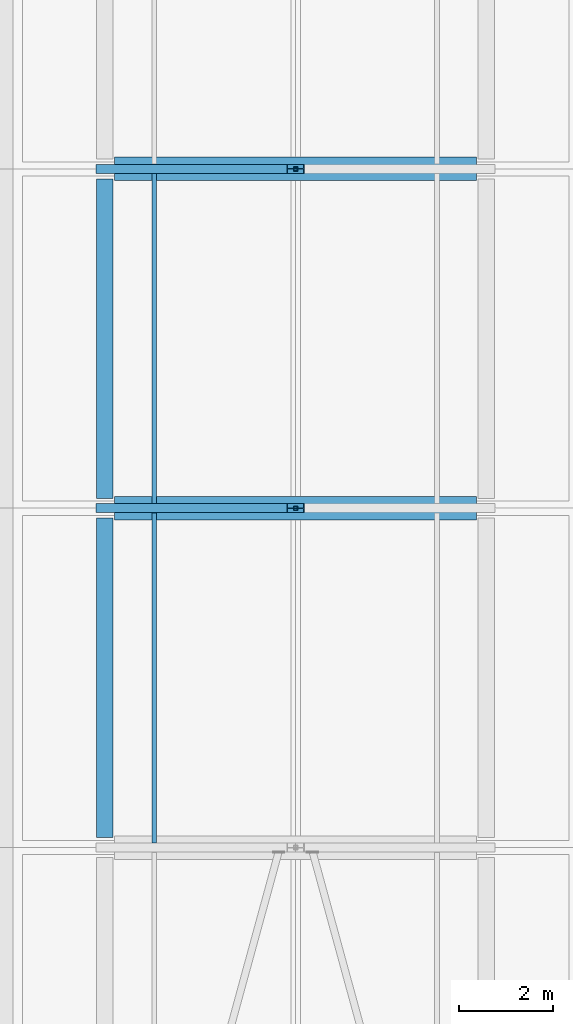
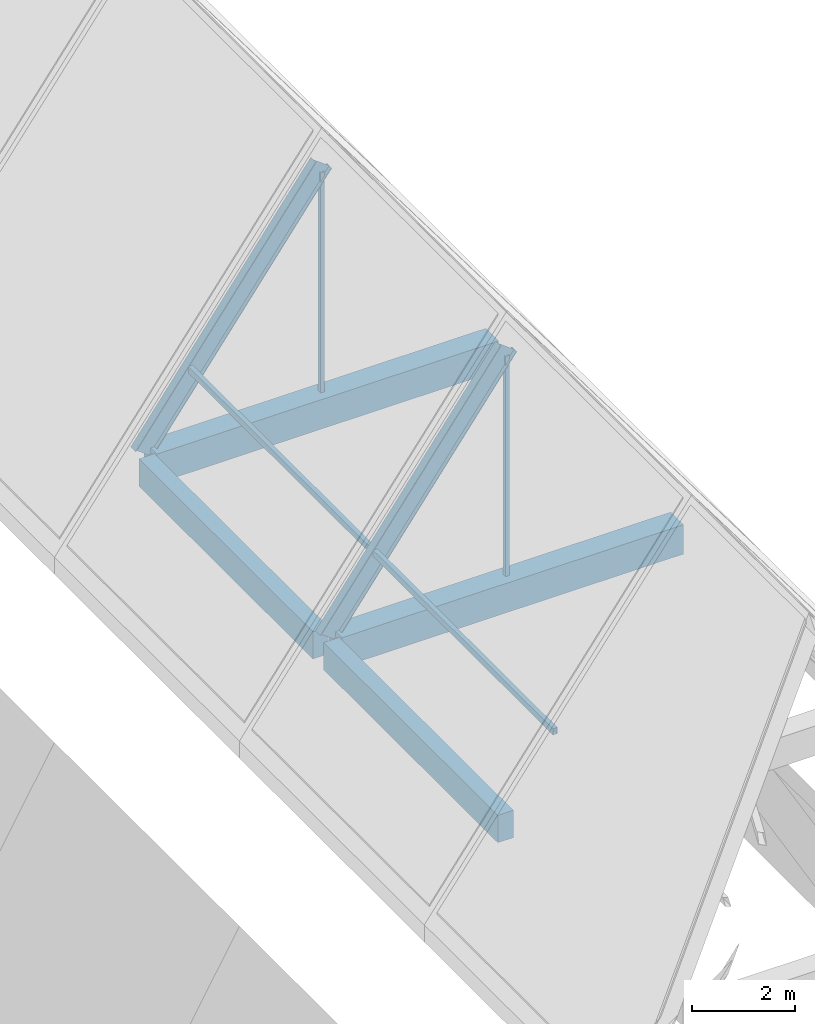
# One storey, part 5 of 29: 6 members, 4 beams.
"""IFC4 building model written with IfcOpenShell, lengths in metres."""

from ifc_helpers import new_model, si_unit, derived_unit, direction, frame, origin, origin_2d, place, context, subcontext, project, spatial, rectangle, hollow_rectangle, i_section, extrude, material, material_profile, profile_set, type_object, element, save


model = new_model("IFC4")

# Units and contexts
model_context = context("Model", 3, precision=1e-05, world=origin(), true_north=direction((0.0, 1.0)))
body_context = subcontext(model_context, "Body", "Model", "MODEL_VIEW")
ifc_project = project(units=[si_unit("LENGTHUNIT", "METRE"), si_unit("AREAUNIT", "SQUARE_METRE"), si_unit("VOLUMEUNIT", "CUBIC_METRE"), si_unit("PLANEANGLEUNIT", "RADIAN"), si_unit("MASSUNIT", "GRAM", prefix="KILO"), derived_unit("THERMALTRANSMITTANCEUNIT", [(si_unit("MASSUNIT", "GRAM", prefix="KILO"), 1), (si_unit("TIMEUNIT", "SECOND"), -3), (si_unit("THERMODYNAMICTEMPERATUREUNIT", "KELVIN"), -1)])], contexts=[model_context])

# Site, building, storey
site_placement = place(None, origin())
site = spatial("IfcSite", under=ifc_project, at=site_placement, CompositionType="ELEMENT")
building_placement = place(site_placement, origin())
building = spatial("IfcBuilding", under=site, at=building_placement, Name="Ochrekiln Boulevard Commons", CompositionType="ELEMENT")
storey_placement = place(building_placement, frame((0.0, 0.0, 37.27490234375)))
storey = spatial("IfcBuildingStorey", under=building, at=storey_placement, Name="L11", CompositionType="ELEMENT", Elevation=37.27490234375)

# Beams
ifc_material_1 = material(Name="Concrete C40/50", Category="concrete")
ifc_material_profile_1 = material_profile(ifc_material_1, rectangle(XDim=0.5, YDim=0.699951171875, at=origin_2d()), Name="RC-BM-500x700")
ifc_profile_set_1 = profile_set([ifc_material_profile_1], Name="Concrete C40/50")
beam_type_1 = type_object("IfcBeamType", Name="BM-RC-500x700", PredefinedType="BEAM", material=ifc_profile_set_1)
for number, where, z_axis, x_axis, name in (
    (1, (156.360107421875, 21.60009765625, -0.64990234375), (1.0, 0.0, 0.0), (0.0, 1.0, 0.0), "Block C L11 Beam B-5070 X4"),
    (2, (156.360107421875, 28.800048828125, -0.64990234375), (1.0, 0.0, 0.0), (0.0, 1.0, 0.0), "Block C L11 Beam B-5070 X5"),
):
    element("IfcBeam", number, at=place(storey_placement, frame(where, z_axis=z_axis, x_axis=x_axis)), inside=storey, type_object=beam_type_1, Name=name, PredefinedType="BEAM", context=body_context, shape_type="SweptSolid", body=[
        extrude(rectangle(XDim=0.5, YDim=0.699951171875, at=origin_2d()), origin(), (0.0, 0.0, 1.0), 7.679931640625),
    ])

# Members
ifc_material_2 = material(Name="Steel A500 Grade C", Category="steel")
ifc_material_profile_2 = material_profile(ifc_material_2, hollow_rectangle(XDim=0.090087890625, YDim=0.090087890625, WallThickness=0.00634765625, at=origin_2d()), Name="HSS90X90X6.4")
ifc_profile_set_2 = profile_set([ifc_material_profile_2], Name="Steel A500 Grade C")
member_type_1 = type_object("IfcMemberType", Name="MEM-PST-HSS90", PredefinedType="POST", material=ifc_profile_set_2)
for number, where, z_axis, x_axis, name in (
    (3, (160.199951171875, 21.60009765625, -0.2998046875), (0.0, 0.0, 1.0), (1.0, 0.0, 0.0), "Block C Attic Gable Ridge King-Post 4"),
    (4, (160.199951171875, 28.800048828125, -0.2998046875), (0.0, 0.0, 1.0), (1.0, 0.0, 0.0), "Block C Attic Gable Ridge King-Post 5"),
):
    element("IfcMember", number, at=place(storey_placement, frame(where, z_axis=z_axis, x_axis=x_axis)), inside=storey, type_object=member_type_1, Name=name, PredefinedType="POST", context=body_context, shape_type="SweptSolid", body=[
        extrude(hollow_rectangle(XDim=0.090087890625, YDim=0.090087890625, WallThickness=0.00634765625, at=origin_2d()), origin(), (0.0, 0.0, 1.0), 5.231201171875),
    ])
ifc_material_profile_3 = material_profile(ifc_material_2, hollow_rectangle(XDim=0.10009765625, YDim=0.14990234375, WallThickness=0.00634765625, at=origin_2d()), Name="HSS150X100X6.4")
ifc_profile_set_3 = profile_set([ifc_material_profile_3], Name="Steel A500 Grade C")
member_type_2 = type_object("IfcMemberType", Name="MEM-PUR-HSS150X100", PredefinedType="PURLIN", material=ifc_profile_set_3)
for number, where, z_axis, x_axis, name in (
    (5, (157.199951171875, 14.5, 1.3408203125), (0.0, 1.0, 0.0), (-1.0, 0.0, 0.0), "Block C Roof Purlin 3W.1"),
    (6, (157.199951171875, 21.699951171875, 1.3408203125), (0.0, 1.0, 0.0), (-1.0, 0.0, 0.0), "Block C Roof Purlin 4W.1"),
):
    element("IfcMember", number, at=place(storey_placement, frame(where, z_axis=z_axis, x_axis=x_axis)), inside=storey, type_object=member_type_2, Name=name, PredefinedType="PURLIN", context=body_context, shape_type="SweptSolid", body=[
        extrude(hollow_rectangle(XDim=0.10009765625, YDim=0.14990234375, WallThickness=0.00634765625, at=origin_2d()), origin(), (0.0, 0.0, 1.0), 7.0),
    ])
ifc_material_3 = material(Name="Steel A992 Grade 50", Category="steel")
ifc_material_profile_4 = material_profile(ifc_material_3, i_section(OverallWidth=0.19091796875, OverallDepth=0.45703125, WebThickness=0.009033203125, FlangeThickness=0.014404296875, at=origin_2d()), Name="W18X50")
ifc_profile_set_4 = profile_set([ifc_material_profile_4], Name="Steel A992 Grade 50")
member_type_3 = type_object("IfcMemberType", Name="MEM-RAF-W18X50", PredefinedType="RAFTER", material=ifc_profile_set_4)
for number, where, z_axis, x_axis, name in (
    (7, (156.14990234375, 21.60009765625, -0.33447265625), (0.595230124903, 0.0, 0.803555286467), (0.0, 1.0, 0.0), "Block C Steep Gable Rafter 4W"),
    (8, (156.14990234375, 28.800048828125, -0.33447265625), (0.595230124903, 0.0, 0.803555286467), (0.0, 1.0, 0.0), "Block C Steep Gable Rafter 5W"),
):
    element("IfcMember", number, at=place(storey_placement, frame(where, z_axis=z_axis, x_axis=x_axis)), inside=storey, type_object=member_type_3, Name=name, PredefinedType="RAFTER", context=body_context, shape_type="SweptSolid", body=[
        extrude(i_section(OverallWidth=0.19091796875, OverallDepth=0.45703125, WebThickness=0.009033203125, FlangeThickness=0.014404296875, at=origin_2d()), origin(), (0.0, 0.0, 1.0), 6.80419921875),
    ])

# Beams
ifc_material_profile_5 = material_profile(ifc_material_1, rectangle(XDim=0.35009765625, YDim=0.64990234375, at=origin_2d()), Name="RC-SPN-350x650")
ifc_profile_set_5 = profile_set([ifc_material_profile_5], Name="Concrete C40/50")
beam_type_2 = type_object("IfcBeamType", Name="SPN-RC-350x650", PredefinedType="SPANDREL", material=ifc_profile_set_5)
beam_1_placement = place(storey_placement, frame((156.14990234375, 14.610107421875, -0.625), z_axis=(0.0, 1.0, 0.0), x_axis=(-1.0, 0.0, 0.0)))
element("IfcBeam", 9, at=beam_1_placement, inside=storey, type_object=beam_type_2, Name="Block C L11 Beam SP-3565 Y11", PredefinedType="SPANDREL", context=body_context, shape_type="SweptSolid", body=[
    extrude(rectangle(XDim=0.35009765625, YDim=0.64990234375, at=origin_2d()), origin(), (0.0, 0.0, 1.0), 6.77978515625),
])
beam_2_placement = place(storey_placement, frame((156.14990234375, 21.81005859375, -0.625), z_axis=(0.0, 1.0, 0.0), x_axis=(-1.0, 0.0, 0.0)))
element("IfcBeam", 10, at=beam_2_placement, inside=storey, type_object=beam_type_2, Name="Block C L11 Beam SP-3565 Y12", PredefinedType="SPANDREL", context=body_context, shape_type="SweptSolid", body=[
    extrude(rectangle(XDim=0.35009765625, YDim=0.64990234375, at=origin_2d()), origin(), (0.0, 0.0, 1.0), 6.780029296875),
])

save(model, "model.ifc")
